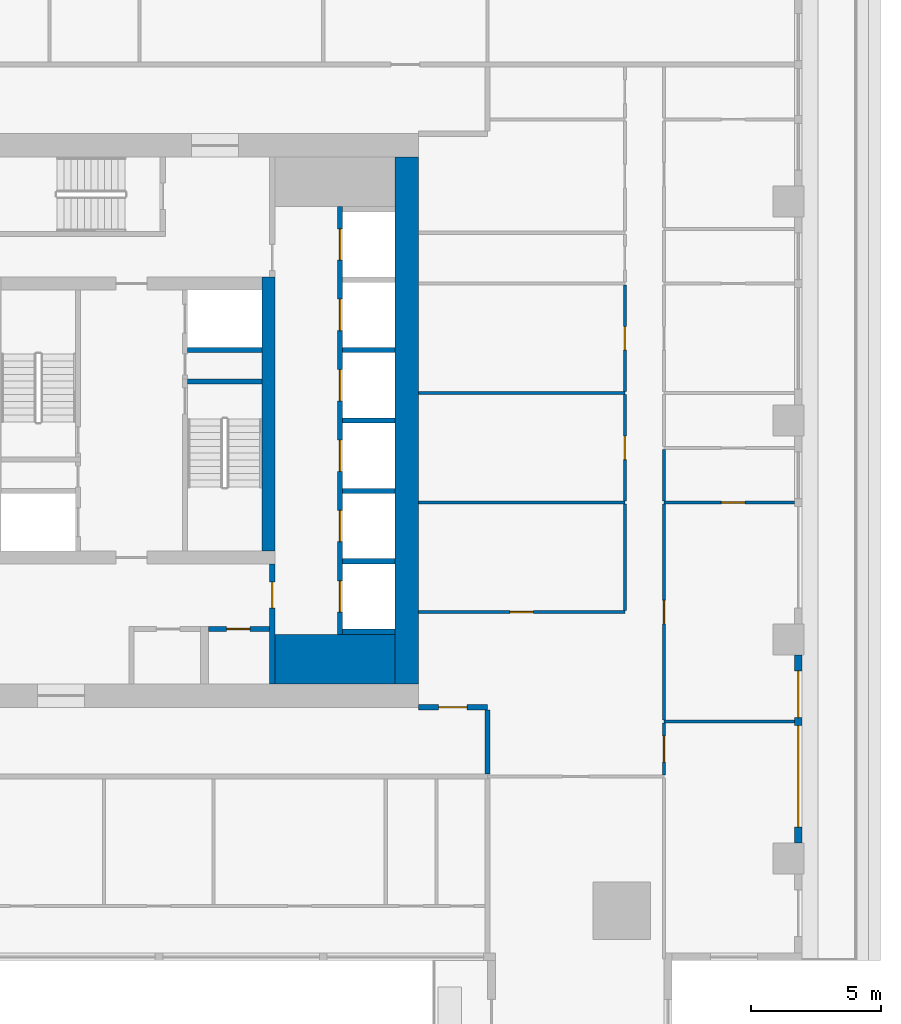
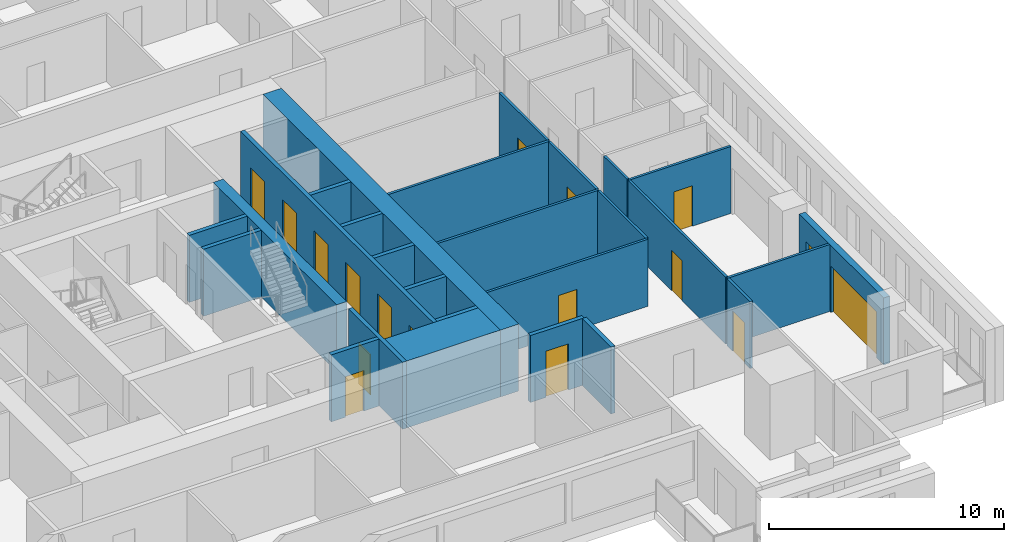
# One storey, part 5 of 14: 27 walls, 17 doors, 17 openings.
"""IFC4 building model written with IfcOpenShell, lengths in metres."""

from ifc_helpers import new_model, si_unit, direction, frame, frame_2d, origin, place, context, subcontext, project, spatial, rectangle, extrude, material, layer, layer_set, type_object, element, fill, save


model = new_model("IFC4")

# Units and contexts
model_context = context("Model", 3, precision=1e-05, world=origin(), true_north=direction((0.0, 1.0)))
body_context = subcontext(model_context, "Body", "Model", "MODEL_VIEW")
ifc_project = project(units=[si_unit("LENGTHUNIT", "METRE"), si_unit("AREAUNIT", "SQUARE_METRE"), si_unit("VOLUMEUNIT", "CUBIC_METRE"), si_unit("PLANEANGLEUNIT", "RADIAN"), si_unit("MASSUNIT", "GRAM", prefix="KILO")], contexts=[model_context])

# Site, building, storey
site_placement = place(None, origin())
site = spatial("IfcSite", under=ifc_project, at=site_placement, CompositionType="ELEMENT")
building_placement = place(site_placement, origin())
building = spatial("IfcBuilding", under=site, at=building_placement, Name="Khepri Terraces", CompositionType="ELEMENT")
storey_placement = place(building_placement, frame((0.0, 0.0, 279.60009765625)))
storey = spatial("IfcBuildingStorey", under=building, at=storey_placement, Name="L67", CompositionType="ELEMENT", Elevation=279.60009765625)

# Walls
ifc_material_1 = material(Name="Concrete C40/50", Category="concrete")
ifc_layer_1 = layer(ifc_material_1, 1.89990234375, Name="Concrete C40/50", Category="concrete")
ifc_layer_set_1 = layer_set([ifc_layer_1], Name="Concrete C40/50")
wall_type_1 = type_object("IfcWallType", Name="Core wall 1900 C40/50", PredefinedType="SHEAR", material=ifc_layer_set_1)
wall_1_placement = place(storey_placement, frame((5.5, -9.14990234375, 0.0), z_axis=(0.0, 0.0, 1.0), x_axis=(1.0, 0.0, 0.0)))
element("IfcWall", 1, at=wall_1_placement, inside=storey, type_object=wall_type_1, Name="Core wall PR02 L67", PredefinedType="SHEAR", context=body_context, shape_type="SweptSolid", body=[
    extrude(rectangle(XDim=4.60009765625, YDim=1.89990234375, at=frame_2d((2.300048828125, 0.0))), origin(), (0.0, 0.0, 1.0), 3.47998046875),
])
ifc_layer_2 = layer(ifc_material_1, 0.199951171875, Name="Concrete C40/50", Category="concrete")
ifc_layer_set_2 = layer_set([ifc_layer_2], Name="Concrete C40/50")
wall_type_2 = type_object("IfcWallType", Name="Core wall 200 C40/50", PredefinedType="SHEAR", material=ifc_layer_set_2)
wall_2_placement = place(storey_placement, frame((2.14990234375, 1.5, 0.0), z_axis=(0.0, 0.0, 1.0), x_axis=(1.0, 0.0, 0.0)))
element("IfcWall", 2, at=wall_2_placement, inside=storey, type_object=wall_type_2, Name="Core wall ST04 L67", PredefinedType="SHEAR", context=body_context, shape_type="SweptSolid", body=[
    extrude(rectangle(XDim=2.85009765625, YDim=0.199951171875, at=frame_2d((1.425048828125, 0.0))), origin(), (0.0, 0.0, 1.0), 3.47998046875),
])

# Wall, openings, doors
wall_3_placement = place(storey_placement, frame((8.0, -8.199951171875, 0.0), z_axis=(0.0, 0.0, 1.0), x_axis=(0.0, 1.0, 0.0)))
wall_3 = element("IfcWall", 3, at=wall_3_placement, inside=storey, type_object=wall_type_2, Name="Core wall SH02 L67", PredefinedType="SHEAR", context=body_context, shape_type="SweptSolid", body=[
    extrude(rectangle(XDim=16.39990234375, YDim=0.199951171875, at=frame_2d((8.199951171875, 0.0))), origin(), (0.0, 0.0, 1.0), 3.47998046875),
])
opening_1_placement = place(wall_3_placement, frame((0.85009765625, 0.0, 0.0)))
opening_1 = element("IfcOpeningElement", 4, at=opening_1_placement, cuts=wall_3, Name="Opening L67-C01", PredefinedType="OPENING", context=body_context, shape_type="SweptSolid", body=[
    extrude(rectangle(XDim=1.199951171875, YDim=2.10009765625, at=frame_2d((0.60009765625, 1.050048828125))), frame((0.0, 0.10986328125, 0.0), z_axis=(0.0, -1.0, 0.0), x_axis=(1.0, 0.0, 0.0)), (0.0, 0.0, 1.0), 0.219970703125),
])
opening_2_placement = place(wall_3_placement, frame((3.550048828125, 0.0, 0.0)))
opening_2 = element("IfcOpeningElement", 5, at=opening_2_placement, cuts=wall_3, Name="Opening L67-C02", PredefinedType="OPENING", context=body_context, shape_type="SweptSolid", body=[
    extrude(rectangle(XDim=1.199951171875, YDim=2.10009765625, at=frame_2d((0.60009765625, 1.050048828125))), frame((0.0, 0.10986328125, 0.0), z_axis=(0.0, -1.0, 0.0), x_axis=(1.0, 0.0, 0.0)), (0.0, 0.0, 1.0), 0.219970703125),
])
opening_3_placement = place(wall_3_placement, frame((6.25, 0.0, 0.0)))
opening_3 = element("IfcOpeningElement", 6, at=opening_3_placement, cuts=wall_3, Name="Opening L67-C03", PredefinedType="OPENING", context=body_context, shape_type="SweptSolid", body=[
    extrude(rectangle(XDim=1.199951171875, YDim=2.10009765625, at=frame_2d((0.60009765625, 1.050048828125))), frame((0.0, 0.10986328125, 0.0), z_axis=(0.0, -1.0, 0.0), x_axis=(1.0, 0.0, 0.0)), (0.0, 0.0, 1.0), 0.219970703125),
])
opening_4_placement = place(wall_3_placement, frame((8.949951171875, 0.0, 0.0)))
opening_4 = element("IfcOpeningElement", 7, at=opening_4_placement, cuts=wall_3, Name="Opening L67-C04", PredefinedType="OPENING", context=body_context, shape_type="SweptSolid", body=[
    extrude(rectangle(XDim=1.199951171875, YDim=2.10009765625, at=frame_2d((0.60009765625, 1.050048828125))), frame((0.0, 0.10986328125, 0.0), z_axis=(0.0, -1.0, 0.0), x_axis=(1.0, 0.0, 0.0)), (0.0, 0.0, 1.0), 0.219970703125),
])
opening_5_placement = place(wall_3_placement, frame((11.64990234375, 0.0, 0.0)))
opening_5 = element("IfcOpeningElement", 8, at=opening_5_placement, cuts=wall_3, Name="Opening L67-C05", PredefinedType="OPENING", context=body_context, shape_type="SweptSolid", body=[
    extrude(rectangle(XDim=1.199951171875, YDim=2.10009765625, at=frame_2d((0.60009765625, 1.050048828125))), frame((0.0, 0.10986328125, 0.0), z_axis=(0.0, -1.0, 0.0), x_axis=(1.0, 0.0, 0.0)), (0.0, 0.0, 1.0), 0.219970703125),
])
opening_6_placement = place(wall_3_placement, frame((14.35009765625, 0.0, 0.0)))
opening_6 = element("IfcOpeningElement", 9, at=opening_6_placement, cuts=wall_3, Name="Opening L67-C06", PredefinedType="OPENING", context=body_context, shape_type="SweptSolid", body=[
    extrude(rectangle(XDim=1.199951171875, YDim=2.10009765625, at=frame_2d((0.60009765625, 1.050048828125))), frame((0.0, 0.10986328125, 0.0), z_axis=(0.0, -1.0, 0.0), x_axis=(1.0, 0.0, 0.0)), (0.0, 0.0, 1.0), 0.219970703125),
])
ifc_material_2 = material(Name="Stainless steel 304", Category="steel")
door_type_1 = type_object("IfcDoorType", Name="DR-CORE-LANDING-1200", OperationType="NOTDEFINED", PredefinedType="DOOR", material=ifc_material_2)
door_1_placement = place(opening_1_placement, origin())
door_1 = element("IfcDoor", 10, at=door_1_placement, inside=storey, type_object=door_type_1, Name="Lift landing door L67-C01", OperationType="SLIDING_TO_LEFT", OverallHeight=2.10009765625, OverallWidth=1.199951171875, PredefinedType="DOOR", context=body_context, shape_type="SweptSolid", body=[
    extrude(rectangle(XDim=1.199951171875, YDim=2.10009765625, at=frame_2d((0.60009765625, 1.050048828125))), frame((0.0, 0.02490234375, 0.0), z_axis=(0.0, -1.0, 0.0), x_axis=(1.0, 0.0, 0.0)), (0.0, 0.0, 1.0), 0.050048828125),
])
fill(opening_1, door_1)
door_2_placement = place(opening_2_placement, origin())
door_2 = element("IfcDoor", 11, at=door_2_placement, inside=storey, type_object=door_type_1, Name="Lift landing door L67-C02", OperationType="SLIDING_TO_LEFT", OverallHeight=2.10009765625, OverallWidth=1.199951171875, PredefinedType="DOOR", context=body_context, shape_type="SweptSolid", body=[
    extrude(rectangle(XDim=1.199951171875, YDim=2.10009765625, at=frame_2d((0.60009765625, 1.050048828125))), frame((0.0, 0.02490234375, 0.0), z_axis=(0.0, -1.0, 0.0), x_axis=(1.0, 0.0, 0.0)), (0.0, 0.0, 1.0), 0.050048828125),
])
fill(opening_2, door_2)
door_3_placement = place(opening_3_placement, origin())
door_3 = element("IfcDoor", 12, at=door_3_placement, inside=storey, type_object=door_type_1, Name="Lift landing door L67-C03", OperationType="SLIDING_TO_LEFT", OverallHeight=2.10009765625, OverallWidth=1.199951171875, PredefinedType="DOOR", context=body_context, shape_type="SweptSolid", body=[
    extrude(rectangle(XDim=1.199951171875, YDim=2.10009765625, at=frame_2d((0.60009765625, 1.050048828125))), frame((0.0, 0.02490234375, 0.0), z_axis=(0.0, -1.0, 0.0), x_axis=(1.0, 0.0, 0.0)), (0.0, 0.0, 1.0), 0.050048828125),
])
fill(opening_3, door_3)
door_4_placement = place(opening_4_placement, origin())
door_4 = element("IfcDoor", 13, at=door_4_placement, inside=storey, type_object=door_type_1, Name="Lift landing door L67-C04", OperationType="SLIDING_TO_LEFT", OverallHeight=2.10009765625, OverallWidth=1.199951171875, PredefinedType="DOOR", context=body_context, shape_type="SweptSolid", body=[
    extrude(rectangle(XDim=1.199951171875, YDim=2.10009765625, at=frame_2d((0.60009765625, 1.050048828125))), frame((0.0, 0.02490234375, 0.0), z_axis=(0.0, -1.0, 0.0), x_axis=(1.0, 0.0, 0.0)), (0.0, 0.0, 1.0), 0.050048828125),
])
fill(opening_4, door_4)
door_5_placement = place(opening_5_placement, origin())
door_5 = element("IfcDoor", 14, at=door_5_placement, inside=storey, type_object=door_type_1, Name="Lift landing door L67-C05", OperationType="SLIDING_TO_LEFT", OverallHeight=2.10009765625, OverallWidth=1.199951171875, PredefinedType="DOOR", context=body_context, shape_type="SweptSolid", body=[
    extrude(rectangle(XDim=1.199951171875, YDim=2.10009765625, at=frame_2d((0.60009765625, 1.050048828125))), frame((0.0, 0.02490234375, 0.0), z_axis=(0.0, -1.0, 0.0), x_axis=(1.0, 0.0, 0.0)), (0.0, 0.0, 1.0), 0.050048828125),
])
fill(opening_5, door_5)
door_6_placement = place(opening_6_placement, origin())
door_6 = element("IfcDoor", 15, at=door_6_placement, inside=storey, type_object=door_type_1, Name="Lift landing door L67-C06", OperationType="SLIDING_TO_LEFT", OverallHeight=2.10009765625, OverallWidth=1.199951171875, PredefinedType="DOOR", context=body_context, shape_type="SweptSolid", body=[
    extrude(rectangle(XDim=1.199951171875, YDim=2.10009765625, at=frame_2d((0.60009765625, 1.050048828125))), frame((0.0, 0.02490234375, 0.0), z_axis=(0.0, -1.0, 0.0), x_axis=(1.0, 0.0, 0.0)), (0.0, 0.0, 1.0), 0.050048828125),
])
fill(opening_6, door_6)

# Walls
for number, where, z_axis, x_axis, name in (
    (16, (8.10009765625, -8.10009765625, 0.0), (0.0, 0.0, 1.0), (1.0, 0.0, 0.0), "Core wall SH03 L67"),
    (17, (8.10009765625, -5.39990234375, 0.0), (0.0, 0.0, 1.0), (1.0, 0.0, 0.0), "Core wall SH04 L67"),
    (18, (8.10009765625, -2.699951171875, 0.0), (0.0, 0.0, 1.0), (1.0, 0.0, 0.0), "Core wall SH08 L67"),
    (19, (8.10009765625, 0.0, 0.0), (0.0, 0.0, 1.0), (1.0, 0.0, 0.0), "Core wall SH09 L67"),
):
    element("IfcWall", number, at=place(storey_placement, frame(where, z_axis=z_axis, x_axis=x_axis)), inside=storey, type_object=wall_type_2, Name=name, PredefinedType="SHEAR", context=body_context, shape_type="SweptSolid", body=[
        extrude(rectangle(XDim=2.0, YDim=0.199951171875, at=frame_2d((1.0, 0.0))), origin(), (0.0, 0.0, 1.0), 3.47998046875),
    ])
wall_4_placement = place(storey_placement, frame((2.14990234375, 2.699951171875, 0.0), z_axis=(0.0, 0.0, 1.0), x_axis=(1.0, 0.0, 0.0)))
element("IfcWall", 20, at=wall_4_placement, inside=storey, type_object=wall_type_2, Name="Core wall SH12 L67", PredefinedType="SHEAR", context=body_context, shape_type="SweptSolid", body=[
    extrude(rectangle(XDim=2.85009765625, YDim=0.199951171875, at=frame_2d((1.425048828125, 0.0))), origin(), (0.0, 0.0, 1.0), 3.47998046875),
])
wall_5_placement = place(storey_placement, frame((8.10009765625, 2.699951171875, 0.0), z_axis=(0.0, 0.0, 1.0), x_axis=(1.0, 0.0, 0.0)))
element("IfcWall", 21, at=wall_5_placement, inside=storey, type_object=wall_type_2, Name="Core wall SH13 L67", PredefinedType="SHEAR", context=body_context, shape_type="SweptSolid", body=[
    extrude(rectangle(XDim=2.0, YDim=0.199951171875, at=frame_2d((1.0, 0.0))), origin(), (0.0, 0.0, 1.0), 3.47998046875),
])
ifc_layer_3 = layer(ifc_material_1, 0.5, Name="Concrete C40/50", Category="concrete")
ifc_layer_set_3 = layer_set([ifc_layer_3], Name="Concrete C40/50")
wall_type_3 = type_object("IfcWallType", Name="Core wall 500 C40/50", PredefinedType="SHEAR", material=ifc_layer_set_3)
wall_6_placement = place(storey_placement, frame((5.25, -5.0, 0.0), z_axis=(0.0, 0.0, 1.0), x_axis=(0.0, 1.0, 0.0)))
element("IfcWall", 22, at=wall_6_placement, inside=storey, type_object=wall_type_3, Name="Core wall BX03 L67", PredefinedType="SHEAR", context=body_context, shape_type="SweptSolid", body=[
    extrude(rectangle(XDim=10.5, YDim=0.5, at=frame_2d((5.25, 0.0))), origin(), (0.0, 0.0, 1.0), 3.47998046875),
])
ifc_layer_4 = layer(ifc_material_1, 0.89990234375, Name="Concrete C40/50", Category="concrete")
ifc_layer_set_4 = layer_set([ifc_layer_4], Name="Concrete C40/50")
wall_type_4 = type_object("IfcWallType", Name="Core wall 900 C40/50", PredefinedType="SHEAR", material=ifc_layer_set_4)
wall_7_placement = place(storey_placement, frame((10.550048828125, -10.10009765625, 0.0), z_axis=(0.0, 0.0, 1.0), x_axis=(0.0, 1.0, 0.0)))
element("IfcWall", 23, at=wall_7_placement, inside=storey, type_object=wall_type_4, Name="Core wall OW-E L67", PredefinedType="SHEAR", context=body_context, shape_type="SweptSolid", body=[
    extrude(rectangle(XDim=20.2001953125, YDim=0.89990234375, at=frame_2d((10.10009765625, 0.0))), origin(), (0.0, 0.0, 1.0), 3.47998046875),
])

# Wall, opening, door
ifc_material_3 = material(Name="Fire-rated gypsum board partition")
ifc_layer_5 = layer(ifc_material_3, 0.199951171875, Name="Fire-rated gypsum board partition")
ifc_layer_set_5 = layer_set([ifc_layer_5], Name="Fire-rated gypsum board partition")
wall_type_5 = type_object("IfcWallType", Name="WL-CORE-PART-200", PredefinedType="PARTITIONING", material=ifc_layer_set_5)
wall_8_placement = place(storey_placement, frame((5.39990234375, -10.10009765625, 0.0), z_axis=(0.0, 0.0, 1.0), x_axis=(0.0, 1.0, 0.0)))
wall_8 = element("IfcWall", 24, at=wall_8_placement, inside=storey, type_object=wall_type_5, Name="Core partition PT04 L67", PredefinedType="PARTITIONING", context=body_context, shape_type="SweptSolid", body=[
    extrude(rectangle(XDim=4.60009765625, YDim=0.199951171875, at=frame_2d((2.300048828125, 0.0))), origin(), (0.0, 0.0, 1.0), 3.47998046875),
])
opening_7_placement = place(wall_8_placement, frame((2.89990234375, 0.0, 0.0)))
opening_7 = element("IfcOpeningElement", 25, at=opening_7_placement, cuts=wall_8, Name="Opening L67-C19", PredefinedType="OPENING", context=body_context, shape_type="SweptSolid", body=[
    extrude(rectangle(XDim=1.0, YDim=2.10009765625, at=frame_2d((0.5, 1.050048828125))), frame((0.0, 0.10986328125, 0.0), z_axis=(0.0, -1.0, 0.0), x_axis=(1.0, 0.0, 0.0)), (0.0, 0.0, 1.0), 0.219970703125),
])
ifc_material_4 = material(Name="Painted steel", Category="steel")
door_type_2 = type_object("IfcDoorType", Name="DR-CORE-LOBBY-1000", OperationType="NOTDEFINED", PredefinedType="DOOR", material=ifc_material_4)
door_7_placement = place(opening_7_placement, origin())
door_7 = element("IfcDoor", 26, at=door_7_placement, inside=storey, type_object=door_type_2, Name="Lobby door L67-C19", OperationType="SINGLE_SWING_RIGHT", OverallHeight=2.10009765625, OverallWidth=1.0, PredefinedType="DOOR", context=body_context, shape_type="SweptSolid", body=[
    extrude(rectangle(XDim=1.0, YDim=2.10009765625, at=frame_2d((0.5, 1.050048828125))), frame((0.0, 0.02490234375, 0.0), z_axis=(0.0, -1.0, 0.0), x_axis=(1.0, 0.0, 0.0)), (0.0, 0.0, 1.0), 0.050048828125),
])
fill(opening_7, door_7)

wall_9_placement = place(storey_placement, frame((2.949951171875, -8.0, 0.0), z_axis=(0.0, 0.0, 1.0), x_axis=(1.0, 0.0, 0.0)))
wall_9 = element("IfcWall", 27, at=wall_9_placement, inside=storey, type_object=wall_type_5, Name="Core partition PT07 L67", PredefinedType="PARTITIONING", context=body_context, shape_type="SweptSolid", body=[
    extrude(rectangle(XDim=2.35009765625, YDim=0.199951171875, at=frame_2d((1.175048828125, 0.0))), origin(), (0.0, 0.0, 1.0), 3.47998046875),
])
opening_8_placement = place(wall_9_placement, frame((0.699951171875, 0.0, 0.0)))
opening_8 = element("IfcOpeningElement", 28, at=opening_8_placement, cuts=wall_9, Name="Opening L67-C23", PredefinedType="OPENING", context=body_context, shape_type="SweptSolid", body=[
    extrude(rectangle(XDim=0.89990234375, YDim=2.10009765625, at=frame_2d((0.449951171875, 1.050048828125))), frame((0.0, 0.10986328125, 0.0), z_axis=(0.0, -1.0, 0.0), x_axis=(1.0, 0.0, 0.0)), (0.0, 0.0, 1.0), 0.219970703125),
])
door_type_3 = type_object("IfcDoorType", Name="DR-CORE-SERVICE-900", OperationType="NOTDEFINED", PredefinedType="DOOR", material=ifc_material_4)
door_8_placement = place(opening_8_placement, frame((0.89990234375, 0.0, 0.0), z_axis=(0.0, 0.0, 1.0), x_axis=(-1.0, 0.0, 0.0)))
door_8 = element("IfcDoor", 29, at=door_8_placement, inside=storey, type_object=door_type_3, Name="Service room door L67-C23", OperationType="SINGLE_SWING_RIGHT", OverallHeight=2.10009765625, OverallWidth=0.89990234375, PredefinedType="DOOR", context=body_context, shape_type="SweptSolid", body=[
    extrude(rectangle(XDim=0.89990234375, YDim=2.10009765625, at=frame_2d((0.449951171875, 1.050048828125))), frame((0.0, 0.02490234375, 0.0), z_axis=(0.0, -1.0, 0.0), x_axis=(1.0, 0.0, 0.0)), (0.0, 0.0, 1.0), 0.050048828125),
])
fill(opening_8, door_8)

# Wall
ifc_material_5 = material(Name="Fire-rated gypsum plasterboard partition, mineral wool")
ifc_layer_6 = layer(ifc_material_5, 0.199951171875, Name="Fire-rated gypsum plasterboard partition, mineral wool")
ifc_layer_set_6 = layer_set([ifc_layer_6], Name="Fire-rated gypsum plasterboard partition, mineral wool")
wall_type_6 = type_object("IfcWallType", Name="WL-CORR-200", PredefinedType="PARTITIONING", material=ifc_layer_set_6)
wall_10_placement = place(storey_placement, frame((13.64990234375, -13.550048828125, 0.0), z_axis=(0.0, 0.0, 1.0), x_axis=(0.0, 1.0, 0.0)))
element("IfcWall", 30, at=wall_10_placement, inside=storey, type_object=wall_type_6, Name="Partition P-020 L67", PredefinedType="PARTITIONING", context=body_context, shape_type="SweptSolid", body=[
    extrude(rectangle(XDim=2.449951171875, YDim=0.199951171875, at=frame_2d((1.22509765625, 0.0))), origin(), (0.0, 0.0, 1.0), 3.47998046875),
])

# Wall, opening, door
wall_11_placement = place(storey_placement, frame((11.0, -11.0, 0.0), z_axis=(0.0, 0.0, 1.0), x_axis=(1.0, 0.0, 0.0)))
wall_11 = element("IfcWall", 31, at=wall_11_placement, inside=storey, type_object=wall_type_6, Name="Partition P-026 L67", PredefinedType="PARTITIONING", context=body_context, shape_type="SweptSolid", body=[
    extrude(rectangle(XDim=2.64990234375, YDim=0.199951171875, at=frame_2d((1.324951171875, 0.0))), origin(), (0.0, 0.0, 1.0), 3.47998046875),
])
opening_9_placement = place(wall_11_placement, frame((0.77490234375, 0.0, 0.0)))
opening_9 = element("IfcOpeningElement", 32, at=opening_9_placement, cuts=wall_11, Name="Opening D1", PredefinedType="OPENING", context=body_context, shape_type="SweptSolid", body=[
    extrude(rectangle(XDim=1.10009765625, YDim=2.39990234375, at=frame_2d((0.550048828125, 1.199951171875))), frame((0.0, 0.10986328125, 0.0), z_axis=(0.0, -1.0, 0.0), x_axis=(1.0, 0.0, 0.0)), (0.0, 0.0, 1.0), 0.219970703125),
])
ifc_material_6 = material(Name="Solid-core timber door leaf, flat entrance door", Category="wood")
door_type_4 = type_object("IfcDoorType", Name="DR-ENT-1100", OperationType="NOTDEFINED", PredefinedType="DOOR", material=ifc_material_6)
door_9_placement = place(opening_9_placement, origin())
door_9 = element("IfcDoor", 33, at=door_9_placement, inside=storey, type_object=door_type_4, Name="Flat B1 entrance door", OperationType="SINGLE_SWING_LEFT", OverallHeight=2.39990234375, OverallWidth=1.10009765625, PredefinedType="DOOR", context=body_context, shape_type="SweptSolid", body=[
    extrude(rectangle(XDim=1.10009765625, YDim=2.39990234375, at=frame_2d((0.550048828125, 1.199951171875))), frame((0.0, 0.02490234375, 0.0), z_axis=(0.0, -1.0, 0.0), x_axis=(1.0, 0.0, 0.0)), (0.0, 0.0, 1.0), 0.050048828125),
])
fill(opening_9, door_9)

# Wall, openings, doors
ifc_material_7 = material(Name="Precast concrete C50/60 warm stone", Category="masonry")
ifc_layer_7 = layer(ifc_material_7, 0.300048828125, Name="Precast concrete C50/60 warm stone", Category="masonry")
ifc_layer_set_7 = layer_set([ifc_layer_7], Name="Precast concrete C50/60 warm stone")
wall_type_7 = type_object("IfcWallType", Name="WL-EXT-PRECAST-300", PredefinedType="STANDARD", material=ifc_layer_set_7)
wall_12_placement = place(storey_placement, frame((25.570068359375, -16.199951171875, 0.0), z_axis=(0.0, 0.0, 1.0), x_axis=(0.0, 1.0, 0.0)))
wall_12 = element("IfcWall", 34, at=wall_12_placement, inside=storey, type_object=wall_type_7, Name="External wall L67 E", PredefinedType="STANDARD", context=body_context, shape_type="SweptSolid", body=[
    extrude(rectangle(XDim=7.199951171875, YDim=0.300048828125, at=frame_2d((3.60009765625, 0.0))), origin(), (0.0, 0.0, 1.0), 3.47998046875),
])
opening_10_placement = place(wall_12_placement, frame((0.60009765625, 0.0, 0.0)))
opening_10 = element("IfcOpeningElement", 35, at=opening_10_placement, cuts=wall_12, Name="Opening ED-L67-02", PredefinedType="OPENING", context=body_context, shape_type="SweptSolid", body=[
    extrude(rectangle(XDim=3.89990234375, YDim=2.39990234375, at=frame_2d((1.949951171875, 1.199951171875))), frame((0.0, 0.16015625, 0.0), z_axis=(0.0, -1.0, 0.0), x_axis=(1.0, 0.0, 0.0)), (0.0, 0.0, 1.0), 0.320068359375),
])
opening_11_placement = place(wall_12_placement, frame((4.800048828125, 0.0, 0.0)))
opening_11 = element("IfcOpeningElement", 36, at=opening_11_placement, cuts=wall_12, Name="Opening ED-L67-03", PredefinedType="OPENING", context=body_context, shape_type="SweptSolid", body=[
    extrude(rectangle(XDim=1.800048828125, YDim=2.39990234375, at=frame_2d((0.89990234375, 1.199951171875))), frame((0.0, 0.16015625, 0.0), z_axis=(0.0, -1.0, 0.0), x_axis=(1.0, 0.0, 0.0)), (0.0, 0.0, 1.0), 0.320068359375),
])
ifc_material_8 = material(Name="Anodised aluminium bronze glazed door", Category="aluminium")
door_type_5 = type_object("IfcDoorType", Name="DR-BAL-SLIDE-1800x2400", OperationType="NOTDEFINED", PredefinedType="DOOR", material=ifc_material_8)
door_10_placement = place(opening_11_placement, origin())
door_10 = element("IfcDoor", 37, at=door_10_placement, inside=storey, type_object=door_type_5, Name="Balcony door L67 E", OperationType="SLIDING_TO_RIGHT", OverallHeight=2.39990234375, OverallWidth=1.800048828125, PredefinedType="DOOR", context=body_context, shape_type="SweptSolid", body=[
    extrude(rectangle(XDim=1.800048828125, YDim=2.39990234375, at=frame_2d((0.89990234375, 1.199951171875))), frame((0.0, 0.02490234375, 0.0), z_axis=(0.0, -1.0, 0.0), x_axis=(1.0, 0.0, 0.0)), (0.0, 0.0, 1.0), 0.050048828125),
])
fill(opening_11, door_10)
door_type_6 = type_object("IfcDoorType", Name="DR-BAL-SLIDE-3900x2400", OperationType="NOTDEFINED", PredefinedType="DOOR", material=ifc_material_8)
door_11_placement = place(opening_10_placement, origin())
door_11 = element("IfcDoor", 38, at=door_11_placement, inside=storey, type_object=door_type_6, Name="Balcony door L67 E", OperationType="SLIDING_TO_LEFT", OverallHeight=2.39990234375, OverallWidth=3.89990234375, PredefinedType="DOOR", context=body_context, shape_type="SweptSolid", body=[
    extrude(rectangle(XDim=3.89990234375, YDim=2.39990234375, at=frame_2d((1.949951171875, 1.199951171875))), frame((0.0, 0.02490234375, 0.0), z_axis=(0.0, -1.0, 0.0), x_axis=(1.0, 0.0, 0.0)), (0.0, 0.0, 1.0), 0.050048828125),
])
fill(opening_10, door_11)

# Wall, opening, door
ifc_material_9 = material(Name="Gypsum plasterboard partition")
ifc_layer_8 = layer(ifc_material_9, 0.1201171875, Name="Gypsum plasterboard partition")
ifc_layer_set_8 = layer_set([ifc_layer_8], Name="Gypsum plasterboard partition")
wall_type_8 = type_object("IfcWallType", Name="WL-PART-120", PredefinedType="PARTITIONING", material=ifc_layer_set_8)
wall_13_placement = place(storey_placement, frame((20.419921875, -13.590087890625, 0.0), z_axis=(0.0, 0.0, 1.0), x_axis=(0.0, 1.0, 0.0)))
wall_13 = element("IfcWall", 39, at=wall_13_placement, inside=storey, type_object=wall_type_8, Name="Partition P-016 L67", PredefinedType="PARTITIONING", context=body_context, shape_type="SweptSolid", body=[
    extrude(rectangle(XDim=1.97998046875, YDim=0.1201171875, at=frame_2d((0.989990234375, 0.0))), origin(), (0.0, 0.0, 1.0), 3.47998046875),
])
opening_12_placement = place(wall_13_placement, frame((0.489990234375, 0.0, 0.0)))
opening_12 = element("IfcOpeningElement", 40, at=opening_12_placement, cuts=wall_13, Name="Opening D2", PredefinedType="OPENING", context=body_context, shape_type="SweptSolid", body=[
    extrude(rectangle(XDim=1.0, YDim=2.10009765625, at=frame_2d((0.5, 1.050048828125))), frame((0.0, 0.070068359375, 0.0), z_axis=(0.0, -1.0, 0.0), x_axis=(1.0, 0.0, 0.0)), (0.0, 0.0, 1.0), 0.14013671875),
])
ifc_material_10 = material(Name="Timber door leaf, living room door", Category="wood")
door_type_7 = type_object("IfcDoorType", Name="DR-INT-1000", OperationType="NOTDEFINED", PredefinedType="DOOR", material=ifc_material_10)
door_12_placement = place(opening_12_placement, frame((1.0, 0.0, 0.0), z_axis=(0.0, 0.0, 1.0), x_axis=(-1.0, 0.0, 0.0)))
door_12 = element("IfcDoor", 41, at=door_12_placement, inside=storey, type_object=door_type_7, Name="Door Living Room", OperationType="SINGLE_SWING_RIGHT", OverallHeight=2.10009765625, OverallWidth=1.0, PredefinedType="DOOR", context=body_context, shape_type="SweptSolid", body=[
    extrude(rectangle(XDim=1.0, YDim=2.10009765625, at=frame_2d((0.5, 1.050048828125))), frame((0.0, 0.02490234375, 0.0), z_axis=(0.0, -1.0, 0.0), x_axis=(1.0, 0.0, 0.0)), (0.0, 0.0, 1.0), 0.050048828125),
])
fill(opening_12, door_12)

# Wall
wall_14_placement = place(storey_placement, frame((20.419921875, -11.550048828125, 0.0), z_axis=(0.0, 0.0, 1.0), x_axis=(1.0, 0.0, 0.0)))
element("IfcWall", 42, at=wall_14_placement, inside=storey, type_object=wall_type_8, Name="Partition P-022 L67", PredefinedType="PARTITIONING", context=body_context, shape_type="SweptSolid", body=[
    extrude(rectangle(XDim=5.0, YDim=0.1201171875, at=frame_2d((2.5, 0.0))), origin(), (0.0, 0.0, 1.0), 3.47998046875),
])

# Wall, opening, door
wall_15_placement = place(storey_placement, frame((20.419921875, -11.489990234375, 0.0), z_axis=(0.0, 0.0, 1.0), x_axis=(0.0, 1.0, 0.0)))
wall_15 = element("IfcWall", 43, at=wall_15_placement, inside=storey, type_object=wall_type_8, Name="Partition P-024 L67", PredefinedType="PARTITIONING", context=body_context, shape_type="SweptSolid", body=[
    extrude(rectangle(XDim=8.280029296875, YDim=0.1201171875, at=frame_2d((4.14013671875, 0.0))), origin(), (0.0, 0.0, 1.0), 3.47998046875),
])
opening_13_placement = place(wall_15_placement, frame((3.68994140625, 0.0, 0.0)))
opening_13 = element("IfcOpeningElement", 44, at=opening_13_placement, cuts=wall_15, Name="Opening D3", PredefinedType="OPENING", context=body_context, shape_type="SweptSolid", body=[
    extrude(rectangle(XDim=0.89990234375, YDim=2.10009765625, at=frame_2d((0.449951171875, 1.050048828125))), frame((0.0, 0.070068359375, 0.0), z_axis=(0.0, -1.0, 0.0), x_axis=(1.0, 0.0, 0.0)), (0.0, 0.0, 1.0), 0.14013671875),
])
ifc_material_11 = material(Name="Timber door leaf", Category="wood")
door_type_8 = type_object("IfcDoorType", Name="DR-INT-900", OperationType="NOTDEFINED", PredefinedType="DOOR", material=ifc_material_11)
door_13_placement = place(opening_13_placement, frame((0.89990234375, 0.0, 0.0), z_axis=(0.0, 0.0, 1.0), x_axis=(-1.0, 0.0, 0.0)))
door_13 = element("IfcDoor", 45, at=door_13_placement, inside=storey, type_object=door_type_8, Name="Door Master Bedroom", OperationType="SINGLE_SWING_RIGHT", OverallHeight=2.10009765625, OverallWidth=0.89990234375, PredefinedType="DOOR", context=body_context, shape_type="SweptSolid", body=[
    extrude(rectangle(XDim=0.89990234375, YDim=2.10009765625, at=frame_2d((0.449951171875, 1.050048828125))), frame((0.0, 0.02490234375, 0.0), z_axis=(0.0, -1.0, 0.0), x_axis=(1.0, 0.0, 0.0)), (0.0, 0.0, 1.0), 0.050048828125),
])
fill(opening_13, door_13)

wall_16_placement = place(storey_placement, frame((11.0, -7.35009765625, 0.0), z_axis=(0.0, 0.0, 1.0), x_axis=(1.0, 0.0, 0.0)))
wall_16 = element("IfcWall", 46, at=wall_16_placement, inside=storey, type_object=wall_type_8, Name="Partition P-028 L67", PredefinedType="PARTITIONING", context=body_context, shape_type="SweptSolid", body=[
    extrude(rectangle(XDim=7.919921875, YDim=0.1201171875, at=frame_2d((3.9599609375, 0.0))), origin(), (0.0, 0.0, 1.0), 3.47998046875),
])
opening_14_placement = place(wall_16_placement, frame((3.510009765625, 0.0, 0.0)))
opening_14 = element("IfcOpeningElement", 47, at=opening_14_placement, cuts=wall_16, Name="Opening D3", PredefinedType="OPENING", context=body_context, shape_type="SweptSolid", body=[
    extrude(rectangle(XDim=0.89990234375, YDim=2.10009765625, at=frame_2d((0.449951171875, 1.050048828125))), frame((0.0, 0.070068359375, 0.0), z_axis=(0.0, -1.0, 0.0), x_axis=(1.0, 0.0, 0.0)), (0.0, 0.0, 1.0), 0.14013671875),
])
door_14_placement = place(opening_14_placement, origin())
door_14 = element("IfcDoor", 48, at=door_14_placement, inside=storey, type_object=door_type_8, Name="Door Kitchen", OperationType="SINGLE_SWING_RIGHT", OverallHeight=2.10009765625, OverallWidth=0.89990234375, PredefinedType="DOOR", context=body_context, shape_type="SweptSolid", body=[
    extrude(rectangle(XDim=0.89990234375, YDim=2.10009765625, at=frame_2d((0.449951171875, 1.050048828125))), frame((0.0, 0.02490234375, 0.0), z_axis=(0.0, -1.0, 0.0), x_axis=(1.0, 0.0, 0.0)), (0.0, 0.0, 1.0), 0.050048828125),
])
fill(opening_14, door_14)

# Walls
wall_17_placement = place(storey_placement, frame((18.919921875, -7.2900390625, 0.0), z_axis=(0.0, 0.0, 1.0), x_axis=(0.0, 1.0, 0.0)))
element("IfcWall", 49, at=wall_17_placement, inside=storey, type_object=wall_type_8, Name="Partition P-030 L67", PredefinedType="PARTITIONING", context=body_context, shape_type="SweptSolid", body=[
    extrude(rectangle(XDim=4.080078125, YDim=0.1201171875, at=frame_2d((2.0400390625, 0.0))), origin(), (0.0, 0.0, 1.0), 3.47998046875),
])
wall_18_placement = place(storey_placement, frame((11.0, -3.14990234375, 0.0), z_axis=(0.0, 0.0, 1.0), x_axis=(1.0, 0.0, 0.0)))
element("IfcWall", 50, at=wall_18_placement, inside=storey, type_object=wall_type_8, Name="Partition P-035 L67", PredefinedType="PARTITIONING", context=body_context, shape_type="SweptSolid", body=[
    extrude(rectangle(XDim=7.919921875, YDim=0.1201171875, at=frame_2d((3.9599609375, 0.0))), origin(), (0.0, 0.0, 1.0), 3.47998046875),
])

# Wall, opening, door
wall_19_placement = place(storey_placement, frame((20.419921875, -3.14990234375, 0.0), z_axis=(0.0, 0.0, 1.0), x_axis=(1.0, 0.0, 0.0)))
wall_19 = element("IfcWall", 51, at=wall_19_placement, inside=storey, type_object=wall_type_8, Name="Partition P-036 L67", PredefinedType="PARTITIONING", context=body_context, shape_type="SweptSolid", body=[
    extrude(rectangle(XDim=5.0, YDim=0.1201171875, at=frame_2d((2.5, 0.0))), origin(), (0.0, 0.0, 1.0), 3.47998046875),
])
opening_15_placement = place(wall_19_placement, frame((2.199951171875, 0.0, 0.0)))
opening_15 = element("IfcOpeningElement", 52, at=opening_15_placement, cuts=wall_19, Name="Opening D3", PredefinedType="OPENING", context=body_context, shape_type="SweptSolid", body=[
    extrude(rectangle(XDim=0.89990234375, YDim=2.10009765625, at=frame_2d((0.449951171875, 1.050048828125))), frame((0.0, 0.070068359375, 0.0), z_axis=(0.0, -1.0, 0.0), x_axis=(1.0, 0.0, 0.0)), (0.0, 0.0, 1.0), 0.14013671875),
])
door_15_placement = place(opening_15_placement, origin())
door_15 = element("IfcDoor", 53, at=door_15_placement, inside=storey, type_object=door_type_8, Name="Door Dressing Room", OperationType="SINGLE_SWING_RIGHT", OverallHeight=2.10009765625, OverallWidth=0.89990234375, PredefinedType="DOOR", context=body_context, shape_type="SweptSolid", body=[
    extrude(rectangle(XDim=0.89990234375, YDim=2.10009765625, at=frame_2d((0.449951171875, 1.050048828125))), frame((0.0, 0.02490234375, 0.0), z_axis=(0.0, -1.0, 0.0), x_axis=(1.0, 0.0, 0.0)), (0.0, 0.0, 1.0), 0.050048828125),
])
fill(opening_15, door_15)

wall_20_placement = place(storey_placement, frame((18.919921875, -3.090087890625, 0.0), z_axis=(0.0, 0.0, 1.0), x_axis=(0.0, 1.0, 0.0)))
wall_20 = element("IfcWall", 54, at=wall_20_placement, inside=storey, type_object=wall_type_8, Name="Partition P-037 L67", PredefinedType="PARTITIONING", context=body_context, shape_type="SweptSolid", body=[
    extrude(rectangle(XDim=4.080078125, YDim=0.1201171875, at=frame_2d((2.0400390625, 0.0))), origin(), (0.0, 0.0, 1.0), 3.47998046875),
])
opening_16_placement = place(wall_20_placement, frame((1.590087890625, 0.0, 0.0)))
opening_16 = element("IfcOpeningElement", 55, at=opening_16_placement, cuts=wall_20, Name="Opening D3", PredefinedType="OPENING", context=body_context, shape_type="SweptSolid", body=[
    extrude(rectangle(XDim=0.89990234375, YDim=2.10009765625, at=frame_2d((0.449951171875, 1.050048828125))), frame((0.0, 0.070068359375, 0.0), z_axis=(0.0, -1.0, 0.0), x_axis=(1.0, 0.0, 0.0)), (0.0, 0.0, 1.0), 0.14013671875),
])
door_16_placement = place(opening_16_placement, origin())
door_16 = element("IfcDoor", 56, at=door_16_placement, inside=storey, type_object=door_type_8, Name="Door Service Store", OperationType="SINGLE_SWING_RIGHT", OverallHeight=2.10009765625, OverallWidth=0.89990234375, PredefinedType="DOOR", context=body_context, shape_type="SweptSolid", body=[
    extrude(rectangle(XDim=0.89990234375, YDim=2.10009765625, at=frame_2d((0.449951171875, 1.050048828125))), frame((0.0, 0.02490234375, 0.0), z_axis=(0.0, -1.0, 0.0), x_axis=(1.0, 0.0, 0.0)), (0.0, 0.0, 1.0), 0.050048828125),
])
fill(opening_16, door_16)

# Walls
wall_21_placement = place(storey_placement, frame((20.419921875, -3.090087890625, 0.0), z_axis=(0.0, 0.0, 1.0), x_axis=(0.0, 1.0, 0.0)))
element("IfcWall", 57, at=wall_21_placement, inside=storey, type_object=wall_type_8, Name="Partition P-038 L67", PredefinedType="PARTITIONING", context=body_context, shape_type="SweptSolid", body=[
    extrude(rectangle(XDim=1.97998046875, YDim=0.1201171875, at=frame_2d((0.989990234375, 0.0))), origin(), (0.0, 0.0, 1.0), 3.47998046875),
])
wall_22_placement = place(storey_placement, frame((11.0, 1.050048828125, 0.0), z_axis=(0.0, 0.0, 1.0), x_axis=(1.0, 0.0, 0.0)))
element("IfcWall", 58, at=wall_22_placement, inside=storey, type_object=wall_type_8, Name="Partition P-047 L67", PredefinedType="PARTITIONING", context=body_context, shape_type="SweptSolid", body=[
    extrude(rectangle(XDim=7.919921875, YDim=0.1201171875, at=frame_2d((3.9599609375, 0.0))), origin(), (0.0, 0.0, 1.0), 3.47998046875),
])

# Wall, opening, door
wall_23_placement = place(storey_placement, frame((18.919921875, 1.110107421875, 0.0), z_axis=(0.0, 0.0, 1.0), x_axis=(0.0, 1.0, 0.0)))
wall_23 = element("IfcWall", 59, at=wall_23_placement, inside=storey, type_object=wall_type_8, Name="Partition P-049 L67", PredefinedType="PARTITIONING", context=body_context, shape_type="SweptSolid", body=[
    extrude(rectangle(XDim=4.079833984375, YDim=0.1201171875, at=frame_2d((2.0400390625, 0.0))), origin(), (0.0, 0.0, 1.0), 3.47998046875),
])
opening_17_placement = place(wall_23_placement, frame((1.590087890625, 0.0, 0.0)))
opening_17 = element("IfcOpeningElement", 60, at=opening_17_placement, cuts=wall_23, Name="Opening D3", PredefinedType="OPENING", context=body_context, shape_type="SweptSolid", body=[
    extrude(rectangle(XDim=0.89990234375, YDim=2.10009765625, at=frame_2d((0.449951171875, 1.050048828125))), frame((0.0, 0.070068359375, 0.0), z_axis=(0.0, -1.0, 0.0), x_axis=(1.0, 0.0, 0.0)), (0.0, 0.0, 1.0), 0.14013671875),
])
door_17_placement = place(opening_17_placement, origin())
door_17 = element("IfcDoor", 61, at=door_17_placement, inside=storey, type_object=door_type_8, Name="Door Staff Bedroom", OperationType="SINGLE_SWING_RIGHT", OverallHeight=2.10009765625, OverallWidth=0.89990234375, PredefinedType="DOOR", context=body_context, shape_type="SweptSolid", body=[
    extrude(rectangle(XDim=0.89990234375, YDim=2.10009765625, at=frame_2d((0.449951171875, 1.050048828125))), frame((0.0, 0.02490234375, 0.0), z_axis=(0.0, -1.0, 0.0), x_axis=(1.0, 0.0, 0.0)), (0.0, 0.0, 1.0), 0.050048828125),
])
fill(opening_17, door_17)

save(model, "model.ifc")
